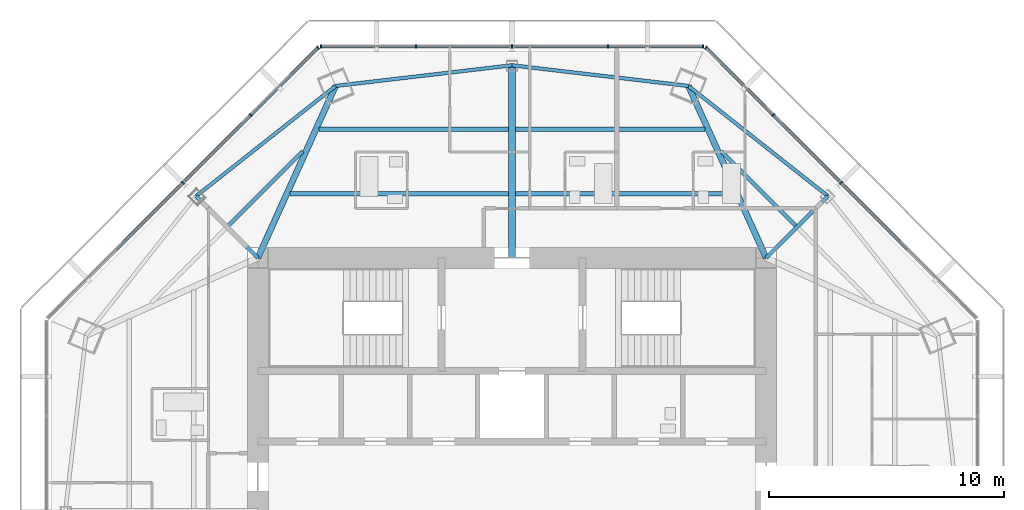
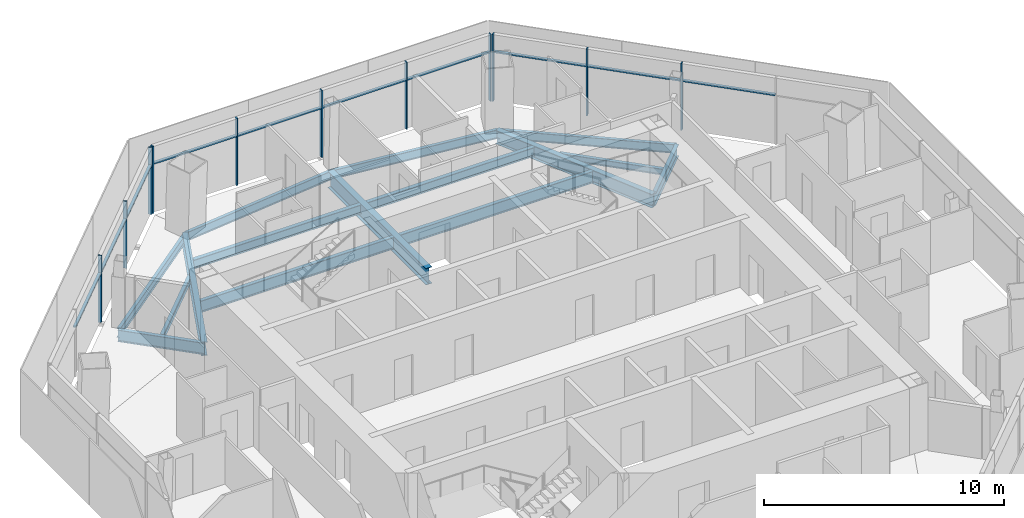
# One storey, part 6 of 15: 21 members, 15 beams, 3 elements without a shape of their own.
"""IFC4 building model written with IfcOpenShell, lengths in metres."""

import ifcopenshell
import ifcopenshell.guid

model = None  # the IFC model being written
_history = None  # IfcOwnerHistory: only IFC2X3 demands one
_inside = {}  # id of a spatial element -> (the spatial element, [elements in it])
_under = {}  # id of a project, library or spatial element -> (it, [spatial elements below it])
_declared = {}  # id of a project -> (the project, [libraries it declares])
_typed = {}  # id of a type object -> (the type object, [elements of that type])
_made_of = {}  # id of a material, layer set ... -> (it, [elements and type objects made of it])


def new_model(schema):
    """Start an empty IFC model of exactly this schema.

    Asked for "IFC4X3", IfcOpenShell would pick the latest addendum, in which some entities
    have other attributes; the version numbers below select the first issue.
    IFC2X3 requires an IfcOwnerHistory on every rooted entity: one is made here for all.
    """
    global model, _history
    if schema == "IFC4X3":
        model = ifcopenshell.file(schema_version=(4, 3, 0, 0))
    else:
        model = ifcopenshell.file(schema=schema)
    _inside.clear()
    _under.clear()
    _declared.clear()
    _typed.clear()
    _made_of.clear()
    _history = None
    if model.schema == "IFC2X3":
        org = make("IfcOrganization", Name="unknown")
        user = make(
            "IfcPersonAndOrganization",
            ThePerson=make("IfcPerson", FamilyName="unknown"),
            TheOrganization=org,
        )
        app = make(
            "IfcApplication",
            ApplicationDeveloper=org,
            Version="unknown",
            ApplicationFullName="unknown",
            ApplicationIdentifier="unknown",
        )
        _history = make(
            "IfcOwnerHistory",
            OwningUser=user,
            OwningApplication=app,
            ChangeAction="ADDED",
            CreationDate=0,
        )
    return model


def make(cls, **values):
    """One entity of the class cls with the attributes given. An attribute that is None is left unset."""
    return model.create_entity(
        cls, **{name: value for name, value in values.items() if value is not None}
    )


def rooted(cls, **values):
    """An entity with a GlobalId (a new one), such as an element, a storey or a relation."""
    return make(cls, GlobalId=ifcopenshell.guid.new(), OwnerHistory=_history, **values)


def si_unit(unit_type, name, prefix=None):
    """IfcSIUnit, for example si_unit("LENGTHUNIT", "METRE", prefix="MILLI")."""
    return make("IfcSIUnit", UnitType=unit_type, Prefix=prefix, Name=name)


def assignment(units):
    """IfcUnitAssignment: the units of a project."""
    return None if units is None else make("IfcUnitAssignment", Units=units)


def point(xyz):
    """IfcCartesianPoint."""
    return None if xyz is None else make("IfcCartesianPoint", Coordinates=xyz)


def direction(xyz):
    """IfcDirection."""
    return None if xyz is None else make("IfcDirection", DirectionRatios=xyz)


def frame(location, z_axis=None, x_axis=None):
    """IfcAxis2Placement3D, a coordinate frame: its origin and axes. An axis left out is left unset."""
    return make(
        "IfcAxis2Placement3D",
        Location=point(location),
        Axis=direction(z_axis),
        RefDirection=direction(x_axis),
    )


def frame_2d(location, x_axis=None):
    """IfcAxis2Placement2D, a coordinate frame in the plane: its origin and x axis."""
    return make(
        "IfcAxis2Placement2D", Location=point(location), RefDirection=direction(x_axis)
    )


def origin():
    """The frame at (0, 0, 0) with its axes left unset."""
    return frame((0.0, 0.0, 0.0))


def origin_2d():
    """The frame at (0, 0) in the plane with its x axis left unset."""
    return frame_2d((0.0, 0.0))


def place(relative_to, where):
    """IfcLocalPlacement: puts the frame where relative to a parent placement (None: the world)."""
    return make(
        "IfcLocalPlacement", PlacementRelTo=relative_to, RelativePlacement=where
    )


def context(
    kind, dimensions, precision=None, world=None, true_north=None, identifier=None
):
    """IfcGeometricRepresentationContext, for example the 3D "Model" context."""
    return make(
        "IfcGeometricRepresentationContext",
        ContextIdentifier=identifier,
        ContextType=kind,
        CoordinateSpaceDimension=dimensions,
        Precision=precision,
        WorldCoordinateSystem=world,
        TrueNorth=true_north,
    )


def subcontext(parent, identifier, kind, view, scale=None):
    """IfcGeometricRepresentationSubContext, for example "Body" below "Model"."""
    return make(
        "IfcGeometricRepresentationSubContext",
        ContextIdentifier=identifier,
        ContextType=kind,
        ParentContext=parent,
        TargetScale=scale,
        TargetView=view,
    )


def project(units=None, contexts=None):
    """IfcProject with its units and contexts."""
    return rooted(
        "IfcProject",
        Name="project",
        RepresentationContexts=contexts,
        UnitsInContext=assignment(units),
    )


def spatial(cls, under=None, at=None, **own):
    """A site, building, storey or space (cls), placed at a placement, below another one or the project."""
    s = rooted(cls, ObjectPlacement=at, **own)
    if under is not None:
        _under.setdefault(under.id(), (under, []))[1].append(s)
    return s


def profile(cls, at=None, kind="AREA", **sizes):
    """A parametric profile (cls). Its sizes go by their IFC names, for example OverallWidth=200.0."""
    return make(cls, ProfileType=kind, Position=at, **sizes)


def rectangle(**sizes):
    """IfcRectangleProfileDef."""
    return profile("IfcRectangleProfileDef", **sizes)


def i_section(**sizes):
    """IfcIShapeProfileDef."""
    return profile("IfcIShapeProfileDef", **sizes)


def extrude(swept, where, along, depth):
    """IfcExtrudedAreaSolid: the profile swept, set in the frame where, extruded along a direction by depth."""
    return make(
        "IfcExtrudedAreaSolid",
        SweptArea=swept,
        Position=where,
        ExtrudedDirection=direction(along),
        Depth=depth,
    )


def shape(context_of_items, identifier, shape_type, items):
    """IfcShapeRepresentation: the items that make up one representation, for example the "Body"."""
    return make(
        "IfcShapeRepresentation",
        ContextOfItems=context_of_items,
        RepresentationIdentifier=identifier,
        RepresentationType=shape_type,
        Items=items,
    )


def source(mapping_origin, context_of_items, identifier, shape_type, items):
    """IfcRepresentationMap: a shape defined once, which mapped items show again and again."""
    return make(
        "IfcRepresentationMap",
        MappingOrigin=mapping_origin,
        MappedRepresentation=shape(context_of_items, identifier, shape_type, items),
    )


def transform(
    local_origin,
    x_axis=None,
    y_axis=None,
    z_axis=None,
    scale=None,
    scale2=None,
    scale3=None,
    uniform=True,
):
    """IfcCartesianTransformationOperator3D, or its non-uniform kind. x_axis, y_axis, z_axis: its Axis1, 2, 3."""
    if uniform:
        return make(
            "IfcCartesianTransformationOperator3D",
            Axis1=direction(x_axis),
            Axis2=direction(y_axis),
            LocalOrigin=point(local_origin),
            Scale=scale,
            Axis3=direction(z_axis),
        )
    return make(
        "IfcCartesianTransformationOperator3DnonUniform",
        Axis1=direction(x_axis),
        Axis2=direction(y_axis),
        LocalOrigin=point(local_origin),
        Scale=scale,
        Axis3=direction(z_axis),
        Scale2=scale2,
        Scale3=scale3,
    )


def mapped(mapping_source, mapping_target):
    """IfcMappedItem: shows the shape of a source again, moved by a transform."""
    return make(
        "IfcMappedItem", MappingSource=mapping_source, MappingTarget=mapping_target
    )


def material(Name=None, Category=None):
    """IfcMaterial."""
    return make("IfcMaterial", Name=Name, Category=Category)


def material_profile(
    of_material, cross_section, Name=None, Category=None, Priority=None
):
    """IfcMaterialProfile: a cross section and its material."""
    return make(
        "IfcMaterialProfile",
        Name=Name,
        Material=of_material,
        Profile=cross_section,
        Priority=Priority,
        Category=Category,
    )


def profile_set(profiles, Name=None, composite=None):
    """IfcMaterialProfileSet."""
    return make(
        "IfcMaterialProfileSet",
        Name=Name,
        MaterialProfiles=profiles,
        CompositeProfile=composite,
    )


def made_of(thing, what):
    """Note that an element or type object is made of a material, layer set ...; save() writes the relation."""
    if what is not None:
        _made_of.setdefault(what.id(), (what, []))[1].append(thing)
    return thing


def type_object(cls, material=None, **own):
    """A type object (cls), such as IfcWallType, which elements share."""
    return made_of(rooted(cls, **own), material)


def type_shapes(of_type, sources):
    """Give a type object the sources (RepresentationMaps) that its elements show as mapped items."""
    of_type.RepresentationMaps = sources


def element(
    cls,
    number,
    at=None,
    inside=None,
    cuts=None,
    type_object=None,
    material=None,
    context=None,
    identifier="Body",
    shape_type=None,
    held_by="IfcProductDefinitionShape",
    body=None,
    shapes=None,
    **own,
):
    """One element of the class cls, such as IfcWall. Its Tag is "e" and its number.

    at: its placement. inside: the storey or other place that contains it. cuts: it is an
    opening in that element (IfcRelVoidsElement). A single representation is given by context,
    identifier, shape_type and body (its items); several are given by shapes. held_by: the class
    of the entity that holds the representations. save() writes the other relations.
    """
    e = rooted(cls, Tag="e%d" % number, ObjectPlacement=at, **own)
    if body is not None:
        shapes = [shape(context, identifier, shape_type, body)]
    if shapes is not None:
        e.Representation = make(held_by, Representations=shapes)
    if inside is not None:
        _inside.setdefault(inside.id(), (inside, []))[1].append(e)
    if cuts is not None:
        rooted(
            "IfcRelVoidsElement", RelatingBuildingElement=cuts, RelatedOpeningElement=e
        )
    if type_object is not None:
        _typed.setdefault(type_object.id(), (type_object, []))[1].append(e)
    return made_of(e, material)


def aggregate(whole, parts):
    """IfcRelAggregates: a whole, such as a stair, and the parts it consists of."""
    return rooted("IfcRelAggregates", RelatingObject=whole, RelatedObjects=parts)


def save(model, path):
    """Write the relations noted so far, then the file.

    IfcRelAggregates (storeys below a building ...), IfcRelContainedInSpatialStructure (elements
    in a storey), IfcRelDefinesByType, IfcRelAssociatesMaterial and IfcRelDeclares: one each for
    every whole, place, type object, material and project.
    """
    for whole, parts in _under.values():
        aggregate(whole, parts)
    for where, things in _inside.values():
        rooted(
            "IfcRelContainedInSpatialStructure",
            RelatedElements=things,
            RelatingStructure=where,
        )
    for kind, things in _typed.values():
        rooted("IfcRelDefinesByType", RelatedObjects=things, RelatingType=kind)
    for what, things in _made_of.values():
        rooted("IfcRelAssociatesMaterial", RelatedObjects=things, RelatingMaterial=what)
    for by, libraries in _declared.values():
        rooted("IfcRelDeclares", RelatingContext=by, RelatedDefinitions=libraries)
    model.write(path)


model = new_model("IFC4")

# Units and contexts
model_context = context("Model", 3, precision=1e-05, world=origin(), true_north=direction((0.0, 1.0)))
body_context = subcontext(model_context, "Body", "Model", "MODEL_VIEW")
ifc_project = project(units=[si_unit("LENGTHUNIT", "METRE"), si_unit("AREAUNIT", "SQUARE_METRE"), si_unit("VOLUMEUNIT", "CUBIC_METRE"), si_unit("PLANEANGLEUNIT", "RADIAN"), si_unit("MASSUNIT", "GRAM", prefix="KILO")], contexts=[model_context])

# Site, building, storey
site_placement = place(None, origin())
site = spatial("IfcSite", under=ifc_project, at=site_placement, CompositionType="ELEMENT")
building_placement = place(site_placement, origin())
building = spatial("IfcBuilding", under=site, at=building_placement, Name="Mashrafa Tower", CompositionType="ELEMENT")
storey_placement = place(building_placement, frame((0.0, 0.0, 291.199951171875)))
storey = spatial("IfcBuildingStorey", under=building, at=storey_placement, Name="L71", CompositionType="ELEMENT", Elevation=291.199951171875)

# Beams
ifc_material_1 = material(Name="Steel ASTM A992", Category="steel")
ifc_material_profile_1 = material_profile(ifc_material_1, i_section(OverallWidth=0.164794921875, OverallDepth=0.309814453125, WebThickness=0.005859375, FlangeThickness=0.009765625, FilletRadius=0.007568359375, at=origin_2d()), Name="W12X26")
ifc_profile_set_1 = profile_set([ifc_material_profile_1], Name="Steel ASTM A992")
beam_type_1 = type_object("IfcBeamType", Name="Beam W12X26", PredefinedType="BEAM", material=ifc_profile_set_1)
for number, where, z_axis, x_axis, name in (
    (1, (-12.04833984375, 12.17431640625, -0.35498046875), (0.707079414784, 0.70713414653, 0.0), (-0.70713414653, 0.707079414784, 0.0), "Floor beam L71 007"),
    (2, (8.894287109375, 15.32861328125, -0.35498046875), (0.707079414784, -0.70713414653, 0.0), (0.70713414653, 0.707079414784, 0.0), "Floor beam L71 016"),
):
    element("IfcBeam", number, at=place(storey_placement, frame(where, z_axis=z_axis, x_axis=x_axis)), inside=storey, type_object=beam_type_1, Name=name, PredefinedType="BEAM", context=body_context, shape_type="SweptSolid", body=[
        extrude(i_section(OverallWidth=0.164794921875, OverallDepth=0.309814453125, WebThickness=0.005859375, FlangeThickness=0.009765625, FilletRadius=0.007568359375, at=origin_2d()), origin(), (0.0, 0.0, 1.0), 4.460693359375),
    ])
ifc_material_2 = material(Name="Steel ASTM A992", Category="steel")
ifc_material_profile_2 = material_profile(ifc_material_2, i_section(OverallWidth=0.15234375, OverallDepth=0.449462890625, WebThickness=0.007568359375, FlangeThickness=0.0107421875, FilletRadius=0.01025390625, at=origin_2d()), Name="W18X35")
ifc_profile_set_2 = profile_set([ifc_material_profile_2], Name="Steel ASTM A992")
beam_type_2 = type_object("IfcBeamType", Name="Beam W18X35", PredefinedType="BEAM", material=ifc_profile_set_2)
beam_1_placement = place(storey_placement, frame((-7.4990234375, 18.1044921875, -0.4248046875), z_axis=(-0.784564834907, -0.620046788418, 0.0), x_axis=(0.620046788418, -0.784564834907, 0.0)))
element("IfcBeam", 3, at=beam_1_placement, inside=storey, type_object=beam_type_2, Name="Spandrel beam L71 047", PredefinedType="BEAM", context=body_context, shape_type="SweptSolid", body=[
    extrude(i_section(OverallWidth=0.15234375, OverallDepth=0.449462890625, WebThickness=0.007568359375, FlangeThickness=0.0107421875, FilletRadius=0.01025390625, at=origin_2d()), origin(), (0.0, 0.0, 1.0), 7.550537109375),
])
for number, where, z_axis, x_axis, name in (
    (4, (0.0, 18.982666015625, -0.4248046875), (-0.993212925931, -0.116310290877, 0.0), (0.116310290877, -0.993212925931, 0.0), "Spandrel beam L71 049"),
    (5, (7.4990234375, 18.1044921875, -0.4248046875), (-0.993212925931, 0.116310290877, 0.0), (-0.116310290877, -0.993212925931, 0.0), "Spandrel beam L71 051"),
):
    element("IfcBeam", number, at=place(storey_placement, frame(where, z_axis=z_axis, x_axis=x_axis)), inside=storey, type_object=beam_type_2, Name=name, PredefinedType="BEAM", context=body_context, shape_type="SweptSolid", body=[
        extrude(i_section(OverallWidth=0.15234375, OverallDepth=0.449462890625, WebThickness=0.007568359375, FlangeThickness=0.0107421875, FilletRadius=0.01025390625, at=origin_2d()), origin(), (0.0, 0.0, 1.0), 7.55029296875),
    ])
beam_2_placement = place(storey_placement, frame((13.4228515625, 13.4228515625, -0.4248046875), z_axis=(-0.784564834907, 0.620046788418, 0.0), x_axis=(-0.620046788418, -0.784564834907, 0.0)))
element("IfcBeam", 6, at=beam_2_placement, inside=storey, type_object=beam_type_2, Name="Spandrel beam L71 053", PredefinedType="BEAM", context=body_context, shape_type="SweptSolid", body=[
    extrude(i_section(OverallWidth=0.15234375, OverallDepth=0.449462890625, WebThickness=0.007568359375, FlangeThickness=0.0107421875, FilletRadius=0.01025390625, at=origin_2d()), origin(), (0.0, 0.0, 1.0), 7.550537109375),
])
ifc_material_3 = material(Name="Steel ASTM A992", Category="steel")
ifc_material_profile_3 = material_profile(ifc_material_3, i_section(OverallWidth=0.191162109375, OverallDepth=0.459716796875, WebThickness=0.010009765625, FlangeThickness=0.01611328125, FilletRadius=0.01025390625, at=origin_2d()), Name="W18X55")
ifc_profile_set_3 = profile_set([ifc_material_profile_3], Name="Steel ASTM A992")
beam_type_3 = type_object("IfcBeamType", Name="Beam W18X55", PredefinedType="BEAM", material=ifc_profile_set_3)
for number, where, z_axis, x_axis, name in (
    (7, (-8.194091796875, 16.255126953125, -0.429931640625), (1.0, 0.0, 0.0), (0.0, 1.0, 0.0), "Floor beam L71 010"),
    (8, (0.14599609375, 16.255126953125, -0.429931640625), (1.0, 0.0, 0.0), (0.0, 1.0, 0.0), "Floor beam L71 014"),
):
    element("IfcBeam", number, at=place(storey_placement, frame(where, z_axis=z_axis, x_axis=x_axis)), inside=storey, type_object=beam_type_3, Name=name, PredefinedType="BEAM", context=body_context, shape_type="SweptSolid", body=[
        extrude(i_section(OverallWidth=0.191162109375, OverallDepth=0.459716796875, WebThickness=0.010009765625, FlangeThickness=0.01611328125, FilletRadius=0.01025390625, at=origin_2d()), origin(), (0.0, 0.0, 1.0), 8.048095703125),
    ])
ifc_material_4 = material(Name="Steel ASTM A992", Category="steel")
ifc_material_profile_4 = material_profile(ifc_material_4, i_section(OverallWidth=0.177978515625, OverallDepth=0.599365234375, WebThickness=0.010009765625, FlangeThickness=0.012939453125, FilletRadius=0.012939453125, at=origin_2d()), Name="W24X55")
ifc_profile_set_4 = profile_set([ifc_material_profile_4], Name="Steel ASTM A992")
beam_type_4 = type_object("IfcBeamType", Name="Beam W24X55", PredefinedType="BEAM", material=ifc_profile_set_4)
for number, where, z_axis, x_axis, name in (
    (9, (-9.426513671875, 13.527587890625, -0.499755859375), (1.0, 0.0, 0.0), (0.0, 1.0, 0.0), "Floor beam L71 008"),
    (10, (0.14599609375, 13.527587890625, -0.499755859375), (1.0, 0.0, 0.0), (0.0, 1.0, 0.0), "Floor beam L71 013"),
):
    element("IfcBeam", number, at=place(storey_placement, frame(where, z_axis=z_axis, x_axis=x_axis)), inside=storey, type_object=beam_type_4, Name=name, PredefinedType="BEAM", context=body_context, shape_type="SweptSolid", body=[
        extrude(i_section(OverallWidth=0.177978515625, OverallDepth=0.599365234375, WebThickness=0.010009765625, FlangeThickness=0.012939453125, FilletRadius=0.012939453125, at=origin_2d()), origin(), (0.0, 0.0, 1.0), 9.280517578125),
    ])
for number, where, z_axis, x_axis, name in (
    (11, (-10.800048828125, 10.800048828125, -0.499755859375), (-0.707106781187, 0.707106781187, 0.0), (-0.707106781187, -0.707106781187, 0.0), "Radial girder L71 030"),
    (12, (10.800048828125, 10.800048828125, -0.499755859375), (0.707106781187, 0.707106781187, 0.0), (-0.707106781187, 0.707106781187, 0.0), "Radial girder L71 039"),
):
    element("IfcBeam", number, at=place(storey_placement, frame(where, z_axis=z_axis, x_axis=x_axis)), inside=storey, type_object=beam_type_4, Name=name, PredefinedType="BEAM", context=body_context, shape_type="SweptSolid", body=[
        extrude(i_section(OverallWidth=0.177978515625, OverallDepth=0.599365234375, WebThickness=0.010009765625, FlangeThickness=0.012939453125, FilletRadius=0.012939453125, at=origin_2d()), origin(), (0.0, 0.0, 1.0), 3.709228515625),
    ])
ifc_material_5 = material(Name="Steel ASTM A992", Category="steel")
ifc_material_profile_5 = material_profile(ifc_material_5, i_section(OverallWidth=0.256591796875, OverallDepth=0.693359375, WebThickness=0.014404296875, FlangeThickness=0.023681640625, FilletRadius=0.01513671875, at=origin_2d()), Name="W27X114")
ifc_profile_set_5 = profile_set([ifc_material_profile_5], Name="Steel ASTM A992")
beam_type_5 = type_object("IfcBeamType", Name="Beam W27X114", PredefinedType="BEAM", material=ifc_profile_set_5)
for number, where, z_axis, x_axis, name in (
    (13, (-10.800048828125, 10.800048828125, -0.546630859375), (0.411819288328, 0.911265534167, 0.0), (-0.911265534167, 0.411819288328, 0.0), "Radial girder L71 031"),
    (14, (10.800048828125, 10.800048828125, -0.546630859375), (-0.411819288328, 0.911265534167, 0.0), (-0.911265534167, -0.411819288328, 0.0), "Radial girder L71 038"),
):
    element("IfcBeam", number, at=place(storey_placement, frame(where, z_axis=z_axis, x_axis=x_axis)), inside=storey, type_object=beam_type_5, Name=name, PredefinedType="BEAM", context=body_context, shape_type="SweptSolid", body=[
        extrude(i_section(OverallWidth=0.256591796875, OverallDepth=0.693359375, WebThickness=0.014404296875, FlangeThickness=0.023681640625, FilletRadius=0.01513671875, at=origin_2d()), origin(), (0.0, 0.0, 1.0), 8.015625),
    ])
ifc_material_6 = material(Name="Steel ASTM A992", Category="steel")
ifc_material_profile_6 = material_profile(ifc_material_6, i_section(OverallWidth=0.2919921875, OverallDepth=0.8408203125, WebThickness=0.0146484375, FlangeThickness=0.021728515625, FilletRadius=0.017333984375, at=origin_2d()), Name="W33X130")
ifc_profile_set_6 = profile_set([ifc_material_profile_6], Name="Steel ASTM A992")
beam_type_6 = type_object("IfcBeamType", Name="Beam W33X130", PredefinedType="BEAM", material=ifc_profile_set_6)
beam_3_placement = place(storey_placement, frame((0.0, 10.800048828125, -0.620361328125), z_axis=(0.0, 1.0, 0.0), x_axis=(-1.0, 0.0, 0.0)))
element("IfcBeam", 15, at=beam_3_placement, inside=storey, type_object=beam_type_6, Name="Radial girder L71 033", PredefinedType="BEAM", context=body_context, shape_type="SweptSolid", body=[
    extrude(i_section(OverallWidth=0.2919921875, OverallDepth=0.8408203125, WebThickness=0.0146484375, FlangeThickness=0.021728515625, FilletRadius=0.017333984375, at=origin_2d()), origin(), (0.0, 0.0, 1.0), 8.1826171875),
])

# Curtain wall, members
ifc_material_7 = material(Name="Unitised aluminium curtain wall", Category="aluminium")
curtain_wall_type = type_object("IfcCurtainWallType", Name="Apartment curtain wall, zone 4 CW-D 160 deep", PredefinedType="NOTDEFINED", material=ifc_material_7)
curtain_wall_1_placement = place(storey_placement, origin())
curtain_wall_1 = element("IfcCurtainWall", 16, at=curtain_wall_1_placement, inside=storey, type_object=curtain_wall_type, Name="Apartment curtain wall, zone 4 L71 north-east", PredefinedType="NOTDEFINED")
ifc_material_8 = material(Name="Extruded aluminium mullion", Category="aluminium")
ifc_material_profile_7 = material_profile(ifc_material_8, rectangle(XDim=0.159912109375, YDim=0.06005859375, at=origin_2d()), Name="Mullion 60x160")
ifc_profile_set_7 = profile_set([ifc_material_profile_7], Name="Extruded aluminium mullion")
member_type_1 = type_object("IfcMemberType", Name="Mullion CW-D 60 x 160", PredefinedType="MULLION", material=ifc_profile_set_7)
shared_shape_1 = source(origin(), body_context, "Body", "SweptSolid", [
    extrude(rectangle(XDim=0.159912109375, YDim=0.06005859375, at=origin_2d()), origin(), (0.0, 0.0, 1.0), 3.400146484375),
])
type_shapes(member_type_1, [shared_shape_1])
member_1_placement = place(storey_placement, frame((13.984619140625, 13.984619140625, 0.0), z_axis=(0.0, 0.0, 1.0), x_axis=(-0.707106781187, -0.707106781187, 0.0)))
member_1 = element("IfcMember", 17, at=member_1_placement, type_object=member_type_1, Name="CW-D mullion 3", PredefinedType="MULLION", context=body_context, shape_type="MappedRepresentation", body=[
    mapped(shared_shape_1, transform((0.0, 0.0, 0.0))),
])
member_2_placement = place(storey_placement, frame((11.103515625, 16.865478515625, 0.0), z_axis=(0.0, 0.0, 1.0), x_axis=(-0.707106781187, -0.707106781187, 0.0)))
member_2 = element("IfcMember", 18, at=member_2_placement, type_object=member_type_1, Name="CW-D mullion 4", PredefinedType="MULLION", context=body_context, shape_type="MappedRepresentation", body=[
    mapped(shared_shape_1, transform((0.0, 0.0, 0.0))),
])
member_3_placement = place(storey_placement, frame((8.24365234375, 19.725341796875, 0.0), z_axis=(0.0, 0.0, 1.0), x_axis=(-0.707106781187, -0.707106781187, 0.0)))
member_3 = element("IfcMember", 19, at=member_3_placement, type_object=member_type_1, Name="CW-D mullion 5", PredefinedType="MULLION", context=body_context, shape_type="MappedRepresentation", body=[
    mapped(shared_shape_1, transform((0.0, 0.0, 0.0))),
])

curtain_wall_2_placement = place(storey_placement, origin())
curtain_wall_2 = element("IfcCurtainWall", 20, at=curtain_wall_2_placement, inside=storey, type_object=curtain_wall_type, Name="Apartment curtain wall, zone 4 L71 north", PredefinedType="NOTDEFINED")
member_4_placement = place(storey_placement, frame((8.118896484375, 19.777099609375, 0.0), z_axis=(0.0, 0.0, 1.0), x_axis=(0.0, -1.0, 0.0)))
member_4 = element("IfcMember", 21, at=member_4_placement, type_object=member_type_1, Name="CW-D mullion 1", PredefinedType="MULLION", context=body_context, shape_type="MappedRepresentation", body=[
    mapped(shared_shape_1, transform((0.0, 0.0, 0.0))),
])
member_5_placement = place(storey_placement, frame((4.074462890625, 19.777099609375, 0.0), z_axis=(0.0, 0.0, 1.0), x_axis=(0.0, -1.0, 0.0)))
member_5 = element("IfcMember", 22, at=member_5_placement, type_object=member_type_1, Name="CW-D mullion 2", PredefinedType="MULLION", context=body_context, shape_type="MappedRepresentation", body=[
    mapped(shared_shape_1, transform((0.0, 0.0, 0.0))),
])
member_6_placement = place(storey_placement, frame((0.0, 19.777099609375, 0.0), z_axis=(0.0, 0.0, 1.0), x_axis=(0.0, -1.0, 0.0)))
member_6 = element("IfcMember", 23, at=member_6_placement, type_object=member_type_1, Name="CW-D mullion 3", PredefinedType="MULLION", context=body_context, shape_type="MappedRepresentation", body=[
    mapped(shared_shape_1, transform((0.0, 0.0, 0.0))),
])
member_7_placement = place(storey_placement, frame((-4.074462890625, 19.777099609375, 0.0), z_axis=(0.0, 0.0, 1.0), x_axis=(0.0, -1.0, 0.0)))
member_7 = element("IfcMember", 24, at=member_7_placement, type_object=member_type_1, Name="CW-D mullion 4", PredefinedType="MULLION", context=body_context, shape_type="MappedRepresentation", body=[
    mapped(shared_shape_1, transform((0.0, 0.0, 0.0))),
])
member_8_placement = place(storey_placement, frame((-8.118896484375, 19.777099609375, 0.0), z_axis=(0.0, 0.0, 1.0), x_axis=(0.0, -1.0, 0.0)))
member_8 = element("IfcMember", 25, at=member_8_placement, type_object=member_type_1, Name="CW-D mullion 5", PredefinedType="MULLION", context=body_context, shape_type="MappedRepresentation", body=[
    mapped(shared_shape_1, transform((0.0, 0.0, 0.0))),
])

curtain_wall_3_placement = place(storey_placement, origin())
curtain_wall_3 = element("IfcCurtainWall", 26, at=curtain_wall_3_placement, inside=storey, type_object=curtain_wall_type, Name="Apartment curtain wall, zone 4 L71 north-west", PredefinedType="NOTDEFINED")
member_9_placement = place(storey_placement, frame((-8.24365234375, 19.725341796875, 0.0), z_axis=(0.0, 0.0, 1.0), x_axis=(0.707106781187, -0.707106781187, 0.0)))
member_9 = element("IfcMember", 27, at=member_9_placement, type_object=member_type_1, Name="CW-D mullion 1", PredefinedType="MULLION", context=body_context, shape_type="MappedRepresentation", body=[
    mapped(shared_shape_1, transform((0.0, 0.0, 0.0))),
])
member_10_placement = place(storey_placement, frame((-11.103515625, 16.865478515625, 0.0), z_axis=(0.0, 0.0, 1.0), x_axis=(0.707106781187, -0.707106781187, 0.0)))
member_10 = element("IfcMember", 28, at=member_10_placement, type_object=member_type_1, Name="CW-D mullion 2", PredefinedType="MULLION", context=body_context, shape_type="MappedRepresentation", body=[
    mapped(shared_shape_1, transform((0.0, 0.0, 0.0))),
])
member_11_placement = place(storey_placement, frame((-13.984619140625, 13.984619140625, 0.0), z_axis=(0.0, 0.0, 1.0), x_axis=(0.707106781187, -0.707106781187, 0.0)))
member_11 = element("IfcMember", 29, at=member_11_placement, type_object=member_type_1, Name="CW-D mullion 3", PredefinedType="MULLION", context=body_context, shape_type="MappedRepresentation", body=[
    mapped(shared_shape_1, transform((0.0, 0.0, 0.0))),
])

# Member
ifc_material_9 = material(Name="Extruded aluminium transom", Category="aluminium")
ifc_material_profile_8 = material_profile(ifc_material_9, rectangle(XDim=0.1279296875, YDim=0.074951171875, at=origin_2d()), Name="Transom 75x128")
ifc_profile_set_8 = profile_set([ifc_material_profile_8], Name="Extruded aluminium transom")
member_type_2 = type_object("IfcMemberType", Name="Transom CW-D 75 x 128", PredefinedType="MULLION", material=ifc_profile_set_8)
shared_shape_2 = source(origin(), body_context, "Body", "SweptSolid", [
    extrude(rectangle(XDim=0.1279296875, YDim=0.074951171875, at=origin_2d()), origin(), (0.0, 0.0, 1.0), 3.984375),
])
member_12_placement = place(storey_placement, frame((11.082275390625, 16.88671875, 2.5), z_axis=(-0.707106781187, 0.707106781187, 0.0), x_axis=(-0.707106781187, -0.707106781187, 0.0)))
member_12 = element("IfcMember", 30, at=member_12_placement, type_object=member_type_2, Name="CW-D transom 4", PredefinedType="MULLION", context=body_context, shape_type="MappedRepresentation", body=[
    mapped(shared_shape_2, transform((0.0, 0.0, 0.0))),
])

member_13_placement = place(storey_placement, frame((8.0888671875, 19.777099609375, 2.5), z_axis=(-1.0, 0.0, 0.0), x_axis=(0.0, -1.0, 0.0)))
member_13 = element("IfcMember", 31, at=member_13_placement, type_object=member_type_2, Name="CW-D transom 1", PredefinedType="MULLION", context=body_context, shape_type="MappedRepresentation", body=[
    mapped(shared_shape_2, transform((0.0, 0.0, 0.0))),
])

member_14_placement = place(storey_placement, frame((-4.1044921875, 19.777099609375, 2.5), z_axis=(-1.0, 0.0, 0.0), x_axis=(0.0, -1.0, 0.0)))
member_14 = element("IfcMember", 32, at=member_14_placement, type_object=member_type_2, Name="CW-D transom 4", PredefinedType="MULLION", context=body_context, shape_type="MappedRepresentation", body=[
    mapped(shared_shape_2, transform((0.0, 0.0, 0.0))),
])

member_15_placement = place(storey_placement, frame((-8.264892578125, 19.7041015625, 2.5), z_axis=(-0.707106781187, -0.707106781187, 0.0), x_axis=(0.707106781187, -0.707106781187, 0.0)))
member_15 = element("IfcMember", 33, at=member_15_placement, type_object=member_type_2, Name="CW-D transom 1", PredefinedType="MULLION", context=body_context, shape_type="MappedRepresentation", body=[
    mapped(shared_shape_2, transform((0.0, 0.0, 0.0))),
])

shared_shape_3 = source(origin(), body_context, "Body", "SweptSolid", [
    extrude(rectangle(XDim=0.1279296875, YDim=0.074951171875, at=origin_2d()), origin(), (0.0, 0.0, 1.0), 4.014404296875),
])
type_shapes(member_type_2, [shared_shape_2, shared_shape_3])
member_16_placement = place(storey_placement, frame((16.84423828125, 11.124755859375, 2.5), z_axis=(-0.707106781187, 0.707106781187, 0.0), x_axis=(-0.707106781187, -0.707106781187, 0.0)))
member_16 = element("IfcMember", 34, at=member_16_placement, type_object=member_type_2, Name="CW-D transom 2", PredefinedType="MULLION", context=body_context, shape_type="MappedRepresentation", body=[
    mapped(shared_shape_3, transform((0.0, 0.0, 0.0))),
])

member_17_placement = place(storey_placement, frame((13.96337890625, 14.005615234375, 2.5), z_axis=(-0.707106781187, 0.707106781187, 0.0), x_axis=(-0.707106781187, -0.707106781187, 0.0)))
member_17 = element("IfcMember", 35, at=member_17_placement, type_object=member_type_2, Name="CW-D transom 3", PredefinedType="MULLION", context=body_context, shape_type="MappedRepresentation", body=[
    mapped(shared_shape_3, transform((0.0, 0.0, 0.0))),
])

aggregate(curtain_wall_1, [member_1, member_2, member_3, member_16, member_17, member_12])

member_18_placement = place(storey_placement, frame((4.04443359375, 19.777099609375, 2.5), z_axis=(-1.0, 0.0, 0.0), x_axis=(0.0, -1.0, 0.0)))
member_18 = element("IfcMember", 36, at=member_18_placement, type_object=member_type_2, Name="CW-D transom 2", PredefinedType="MULLION", context=body_context, shape_type="MappedRepresentation", body=[
    mapped(shared_shape_3, transform((0.0, 0.0, 0.0))),
])

member_19_placement = place(storey_placement, frame((-0.030029296875, 19.777099609375, 2.5), z_axis=(-1.0, 0.0, 0.0), x_axis=(0.0, -1.0, 0.0)))
member_19 = element("IfcMember", 37, at=member_19_placement, type_object=member_type_2, Name="CW-D transom 3", PredefinedType="MULLION", context=body_context, shape_type="MappedRepresentation", body=[
    mapped(shared_shape_3, transform((0.0, 0.0, 0.0))),
])

aggregate(curtain_wall_2, [member_4, member_5, member_6, member_7, member_8, member_13, member_18, member_19, member_14])

member_20_placement = place(storey_placement, frame((-11.124755859375, 16.84423828125, 2.5), z_axis=(-0.707106781187, -0.707106781187, 0.0), x_axis=(0.707106781187, -0.707106781187, 0.0)))
member_20 = element("IfcMember", 38, at=member_20_placement, type_object=member_type_2, Name="CW-D transom 2", PredefinedType="MULLION", context=body_context, shape_type="MappedRepresentation", body=[
    mapped(shared_shape_3, transform((0.0, 0.0, 0.0))),
])

member_21_placement = place(storey_placement, frame((-14.005615234375, 13.96337890625, 2.5), z_axis=(-0.707106781187, -0.707106781187, 0.0), x_axis=(0.707106781187, -0.707106781187, 0.0)))
member_21 = element("IfcMember", 39, at=member_21_placement, type_object=member_type_2, Name="CW-D transom 3", PredefinedType="MULLION", context=body_context, shape_type="MappedRepresentation", body=[
    mapped(shared_shape_3, transform((0.0, 0.0, 0.0))),
])

aggregate(curtain_wall_3, [member_9, member_10, member_11, member_15, member_20, member_21])

save(model, "model.ifc")
